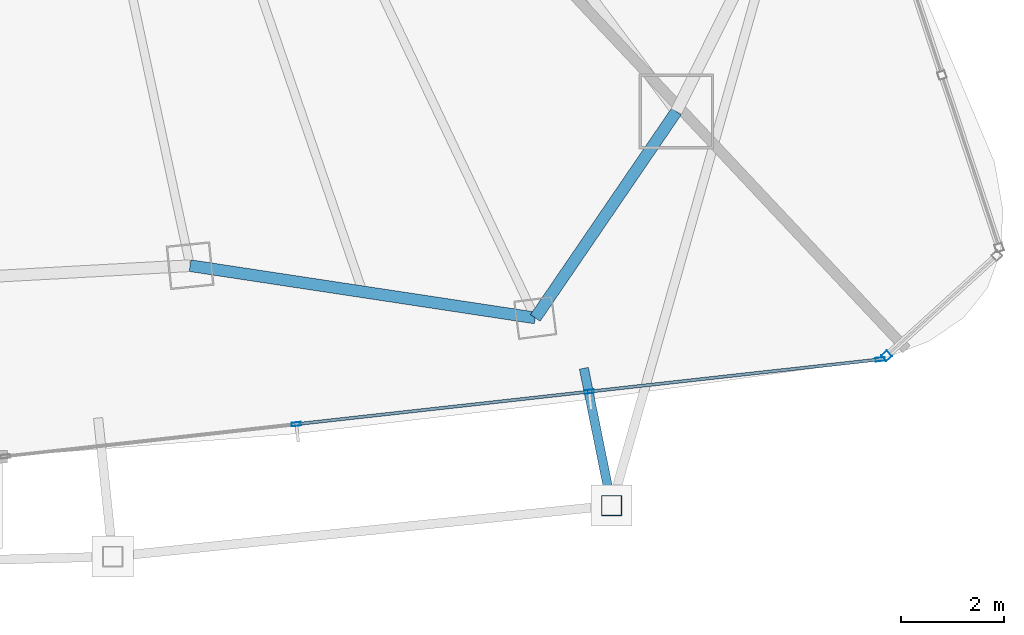
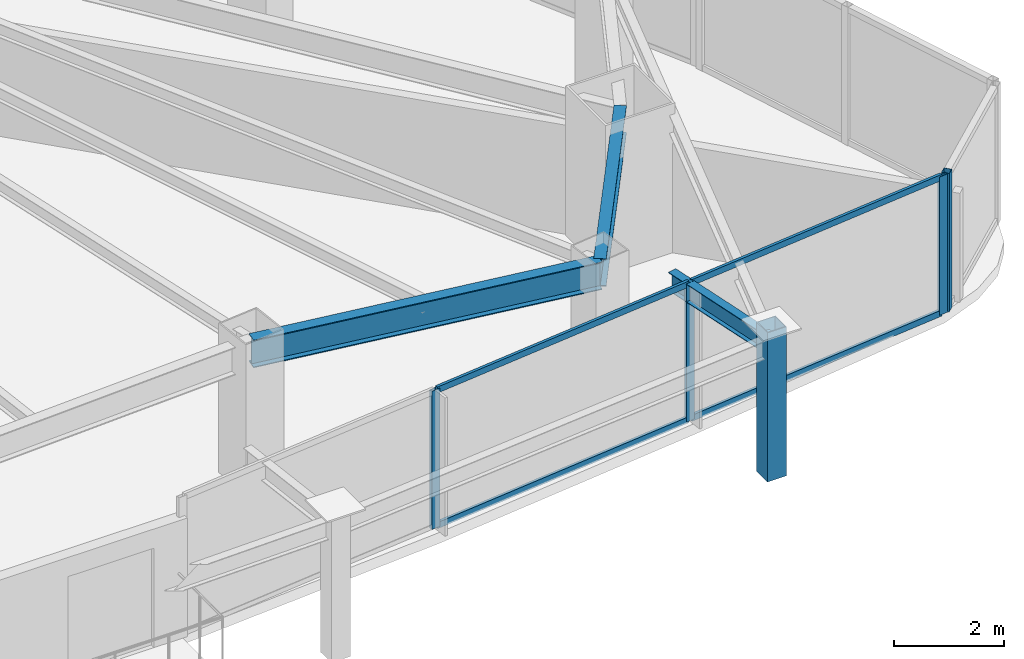
# One storey, part 14 of 31: 9 members, 3 beams, 2 elements without a shape of their own.
"""IFC4 building model written with IfcOpenShell, lengths in metres."""

from ifc_helpers import new_model, si_unit, direction, frame, origin, origin_2d, place, context, subcontext, project, spatial, hollow_rectangle, i_section, extrude, material, layer, layer_set, material_profile, profile_set, type_object, element, aggregate, save


model = new_model("IFC4")

# Units and contexts
model_context = context("Model", 3, precision=1e-05, world=origin(), true_north=direction((0.0, 1.0)))
body_context = subcontext(model_context, "Body", "Model", "MODEL_VIEW")
ifc_project = project(units=[si_unit("LENGTHUNIT", "METRE"), si_unit("AREAUNIT", "SQUARE_METRE"), si_unit("VOLUMEUNIT", "CUBIC_METRE"), si_unit("PLANEANGLEUNIT", "RADIAN"), si_unit("MASSUNIT", "GRAM", prefix="KILO")], contexts=[model_context])

# Site, building, storey
site_placement = place(None, origin())
site = spatial("IfcSite", under=ifc_project, at=site_placement, CompositionType="ELEMENT")
building_placement = place(site_placement, origin())
building = spatial("IfcBuilding", under=site, at=building_placement, Name="Orvanel Arch Residences", CompositionType="ELEMENT")
storey_placement = place(building_placement, frame((0.0, 0.0, 157.25)))
storey = spatial("IfcBuildingStorey", under=building, at=storey_placement, Name="L44", CompositionType="ELEMENT", Elevation=157.25)

# Curtain wall, member
ifc_material_1 = material(Name="Bronze-anodised aluminium AA6063-T6", Category="aluminium")
ifc_layer_1 = layer(ifc_material_1, 0.18994140625)
ifc_layer_set_1 = layer_set([ifc_layer_1], Name="Bronze-anodised aluminium AA6063-T6")
curtain_wall_type_1 = type_object("IfcCurtainWallType", Name="CW5-CRN-SYS", PredefinedType="NOTDEFINED", material=ifc_layer_set_1)
curtain_wall_1_placement = place(storey_placement, origin())
curtain_wall_1 = element("IfcCurtainWall", 1, at=curtain_wall_1_placement, inside=storey, type_object=curtain_wall_type_1, Name="L44 CW5-CRN-SYS Unitised Curtain Wall", PredefinedType="NOTDEFINED")
ifc_material_profile_1 = material_profile(ifc_material_1, hollow_rectangle(XDim=0.14990234375, YDim=0.14990234375, WallThickness=0.0048828125, at=origin_2d()), Name="ALU150x150x5")
ifc_profile_set_1 = profile_set([ifc_material_profile_1], Name="Bronze-anodised aluminium AA6063-T6")
member_type_1 = type_object("IfcMemberType", Name="MUL-150x150", PredefinedType="MULLION", material=ifc_profile_set_1)
member_1_placement = place(storey_placement, frame((55.887451171875, 5.6044921875, 0.0), z_axis=(0.0, 0.0, 1.0), x_axis=(-0.672329748621, 0.740251787651, 0.0)))
member_1 = element("IfcMember", 2, at=member_1_placement, type_object=member_type_1, Name="CW-S5 mullion 1", PredefinedType="MULLION", context=body_context, shape_type="SweptSolid", body=[
    extrude(hollow_rectangle(XDim=0.14990234375, YDim=0.14990234375, WallThickness=0.0048828125, at=origin_2d()), origin(), (0.0, 0.0, 1.0), 3.06005859375),
])
aggregate(curtain_wall_1, [member_1])

# Curtain wall, members
ifc_layer_2 = layer(ifc_material_1, 0.179931640625)
ifc_layer_set_2 = layer_set([ifc_layer_2], Name="Bronze-anodised aluminium AA6063-T6")
curtain_wall_type_2 = type_object("IfcCurtainWallType", Name="CW3-MID-SYS", PredefinedType="NOTDEFINED", material=ifc_layer_set_2)
curtain_wall_2_placement = place(storey_placement, origin())
curtain_wall_2 = element("IfcCurtainWall", 3, at=curtain_wall_2_placement, inside=storey, type_object=curtain_wall_type_2, Name="L44 CW3-MID-SYS Unitised Curtain Wall", PredefinedType="NOTDEFINED")
ifc_material_profile_2 = material_profile(ifc_material_1, hollow_rectangle(XDim=0.070068359375, YDim=0.179931640625, WallThickness=0.00439453125, at=origin_2d()), Name="ALU180x70x4.5")
ifc_profile_set_2 = profile_set([ifc_material_profile_2], Name="Bronze-anodised aluminium AA6063-T6")
member_type_2 = type_object("IfcMemberType", Name="MUL-180x70", PredefinedType="MULLION", material=ifc_profile_set_2)
member_2_placement = place(storey_placement, frame((44.4150390625, 4.27490234375, 0.0), z_axis=(0.0, 0.0, 1.0), x_axis=(-0.110374021666, 0.993890122368, 0.0)))
member_2 = element("IfcMember", 4, at=member_2_placement, type_object=member_type_2, Name="CW-S3 mullion 2", PredefinedType="MULLION", context=body_context, shape_type="SweptSolid", body=[
    extrude(hollow_rectangle(XDim=0.070068359375, YDim=0.179931640625, WallThickness=0.00439453125, at=origin_2d()), origin(), (0.0, 0.0, 1.0), 3.06005859375),
])
member_3_placement = place(storey_placement, frame((50.10595703125, 4.906982421875, 0.0), z_axis=(0.0, 0.0, 1.0), x_axis=(-0.110374021666, 0.993890122368, 0.0)))
member_3 = element("IfcMember", 5, at=member_3_placement, type_object=member_type_2, Name="CW-S3 mullion 3", PredefinedType="MULLION", context=body_context, shape_type="SweptSolid", body=[
    extrude(hollow_rectangle(XDim=0.070068359375, YDim=0.179931640625, WallThickness=0.00439453125, at=origin_2d()), origin(), (0.0, 0.0, 1.0), 3.06005859375),
])
member_4_placement = place(storey_placement, frame((55.76220703125, 5.53515625, 0.0), z_axis=(0.0, 0.0, 1.0), x_axis=(-0.110374021666, 0.993890122368, 0.0)))
member_4 = element("IfcMember", 6, at=member_4_placement, type_object=member_type_2, Name="CW-S3 mullion 4", PredefinedType="MULLION", context=body_context, shape_type="SweptSolid", body=[
    extrude(hollow_rectangle(XDim=0.070068359375, YDim=0.179931640625, WallThickness=0.00439453125, at=origin_2d()), origin(), (0.0, 0.0, 1.0), 3.06005859375),
])

# Beams
ifc_material_2 = material(Name="Structural steel AS/NZS 3679.1 Grade 300 (300 MPa)", Category="steel")
ifc_material_profile_3 = material_profile(ifc_material_2, i_section(OverallWidth=0.177978515625, OverallDepth=0.406005859375, WebThickness=0.0078125, FlangeThickness=0.0126953125, at=origin_2d()), Name="410UB59.7")
ifc_profile_set_3 = profile_set([ifc_material_profile_3], Name="Structural steel AS/NZS 3679.1 Grade 300 (300 MPa)")
beam_type_1 = type_object("IfcBeamType", Name="OB-410UB-EXT", PredefinedType="SPANDREL", material=ifc_profile_set_3)
beam_1_placement = place(storey_placement, frame((50.00390625, 5.361083984375, 2.85693359375), z_axis=(0.198047657535, -0.980192392005, 0.0), x_axis=(0.980192392005, 0.198047657535, 0.0)))
element("IfcBeam", 7, at=beam_1_placement, inside=storey, type_object=beam_type_1, Name="L44 Outer Frame Radial Tie Beam 08", PredefinedType="SPANDREL", context=body_context, shape_type="SweptSolid", body=[
    extrude(i_section(OverallWidth=0.177978515625, OverallDepth=0.406005859375, WebThickness=0.0078125, FlangeThickness=0.0126953125, at=origin_2d()), origin(), (0.0, 0.0, 1.0), 2.721923828125),
])
ifc_material_profile_4 = material_profile(ifc_material_2, i_section(OverallWidth=0.22900390625, OverallDepth=0.612060546875, WebThickness=0.011962890625, FlangeThickness=0.01953125, at=origin_2d()), Name="610UB125")
ifc_profile_set_4 = profile_set([ifc_material_profile_4], Name="Structural steel AS/NZS 3679.1 Grade 300 (300 MPa)")
beam_type_2 = type_object("IfcBeamType", Name="SP-610UB", PredefinedType="SPANDREL", material=ifc_profile_set_4)
beam_2_placement = place(storey_placement, frame((42.35107421875, 7.35498046875, 2.75390625), z_axis=(0.988726323014, -0.149733958002, 0.0), x_axis=(0.149733958002, 0.988726323014, 0.0)))
element("IfcBeam", 8, at=beam_2_placement, inside=storey, type_object=beam_type_2, Name="L44 Perimeter Spandrel Beam 07", PredefinedType="SPANDREL", context=body_context, shape_type="SweptSolid", body=[
    extrude(i_section(OverallWidth=0.22900390625, OverallDepth=0.612060546875, WebThickness=0.011962890625, FlangeThickness=0.01953125, at=origin_2d()), origin(), (0.0, 0.0, 1.0), 6.784423828125),
])
beam_3_placement = place(storey_placement, frame((49.05908203125, 6.339111328125, 2.75390625), z_axis=(0.564251579852, 0.825602903722, 0.0), x_axis=(-0.825602903722, 0.564251579852, 0.0)))
element("IfcBeam", 9, at=beam_3_placement, inside=storey, type_object=beam_type_2, Name="L44 Perimeter Spandrel Beam 08", PredefinedType="SPANDREL", context=body_context, shape_type="SweptSolid", body=[
    extrude(i_section(OverallWidth=0.22900390625, OverallDepth=0.612060546875, WebThickness=0.011962890625, FlangeThickness=0.01953125, at=origin_2d()), origin(), (0.0, 0.0, 1.0), 4.859375),
])

# Member
ifc_material_3 = material(Name="Structural steel AS/NZS 1163 C450L0 (Grade 450)", Category="steel")
ifc_material_profile_5 = material_profile(ifc_material_3, hollow_rectangle(XDim=0.39990234375, YDim=0.39990234375, WallThickness=0.01611328125, at=origin_2d()), Name="SHS400x400x16")
ifc_profile_set_5 = profile_set([ifc_material_profile_5], Name="Structural steel AS/NZS 1163 C450L0 (Grade 450)")
member_type_3 = type_object("IfcMemberType", Name="ST-400SHS-EXT", PredefinedType="STRUT", material=ifc_profile_set_5)
member_5_placement = place(storey_placement, frame((50.54296875, 2.693115234375, 0.0), z_axis=(0.0, 0.0, 1.0), x_axis=(1.0, 0.0, 0.0)))
element("IfcMember", 10, at=member_5_placement, inside=storey, type_object=member_type_3, Name="L44 Outer Perimeter Frame Post 08", PredefinedType="STRUT", context=body_context, shape_type="SweptSolid", body=[
    extrude(hollow_rectangle(XDim=0.39990234375, YDim=0.39990234375, WallThickness=0.01611328125, at=origin_2d()), origin(), (0.0, 0.0, 1.0), 3.300048828125),
])

ifc_material_profile_6 = material_profile(ifc_material_1, hollow_rectangle(XDim=0.06005859375, YDim=0.135009765625, WallThickness=0.00390625, at=origin_2d()), Name="ALU135x60x4")
ifc_profile_set_6 = profile_set([ifc_material_profile_6], Name="Bronze-anodised aluminium AA6063-T6")
member_type_4 = type_object("IfcMemberType", Name="TRN-135x60", PredefinedType="USERDEFINED", material=ifc_profile_set_6)
member_6_placement = place(storey_placement, frame((44.44970703125, 4.27880859375, 0.030029296875), z_axis=(0.993890575813, 0.110369938433, 0.0), x_axis=(-0.110369938433, 0.993890575813, 0.0)))
member_6 = element("IfcMember", 11, at=member_6_placement, type_object=member_type_4, Name="CW-S3 transom 2.1", ObjectType="TRANSOM", PredefinedType="USERDEFINED", context=body_context, shape_type="SweptSolid", body=[
    extrude(hollow_rectangle(XDim=0.06005859375, YDim=0.135009765625, WallThickness=0.00390625, at=origin_2d()), origin(), (0.0, 0.0, 1.0), 5.65625),
])

member_7_placement = place(storey_placement, frame((44.44970703125, 4.27880859375, 3.030029296875), z_axis=(0.993890575813, 0.110369938433, 0.0), x_axis=(-0.110369938433, 0.993890575813, 0.0)))
member_7 = element("IfcMember", 12, at=member_7_placement, type_object=member_type_4, Name="CW-S3 transom 2.2", ObjectType="TRANSOM", PredefinedType="USERDEFINED", context=body_context, shape_type="SweptSolid", body=[
    extrude(hollow_rectangle(XDim=0.06005859375, YDim=0.135009765625, WallThickness=0.00390625, at=origin_2d()), origin(), (0.0, 0.0, 1.0), 5.65625),
])

member_8_placement = place(storey_placement, frame((50.140869140625, 4.910888671875, 0.030029296875), z_axis=(0.993891147926, 0.110364786386, 0.0), x_axis=(-0.110364786386, 0.993891147926, 0.0)))
member_8 = element("IfcMember", 13, at=member_8_placement, type_object=member_type_4, Name="CW-S3 transom 3.1", ObjectType="TRANSOM", PredefinedType="USERDEFINED", context=body_context, shape_type="SweptSolid", body=[
    extrude(hollow_rectangle(XDim=0.06005859375, YDim=0.135009765625, WallThickness=0.00390625, at=origin_2d()), origin(), (0.0, 0.0, 1.0), 5.62109375),
])

member_9_placement = place(storey_placement, frame((50.140869140625, 4.910888671875, 3.030029296875), z_axis=(0.993891147926, 0.110364786386, 0.0), x_axis=(-0.110364786386, 0.993891147926, 0.0)))
member_9 = element("IfcMember", 14, at=member_9_placement, type_object=member_type_4, Name="CW-S3 transom 3.2", ObjectType="TRANSOM", PredefinedType="USERDEFINED", context=body_context, shape_type="SweptSolid", body=[
    extrude(hollow_rectangle(XDim=0.06005859375, YDim=0.135009765625, WallThickness=0.00390625, at=origin_2d()), origin(), (0.0, 0.0, 1.0), 5.62109375),
])

aggregate(curtain_wall_2, [member_2, member_3, member_4, member_6, member_7, member_8, member_9])

save(model, "model.ifc")
